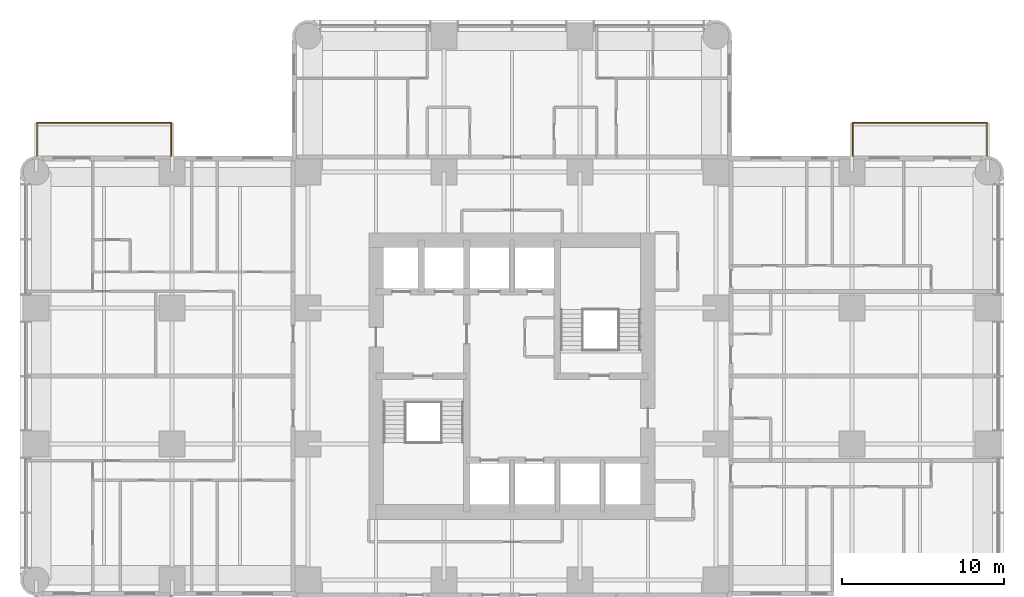
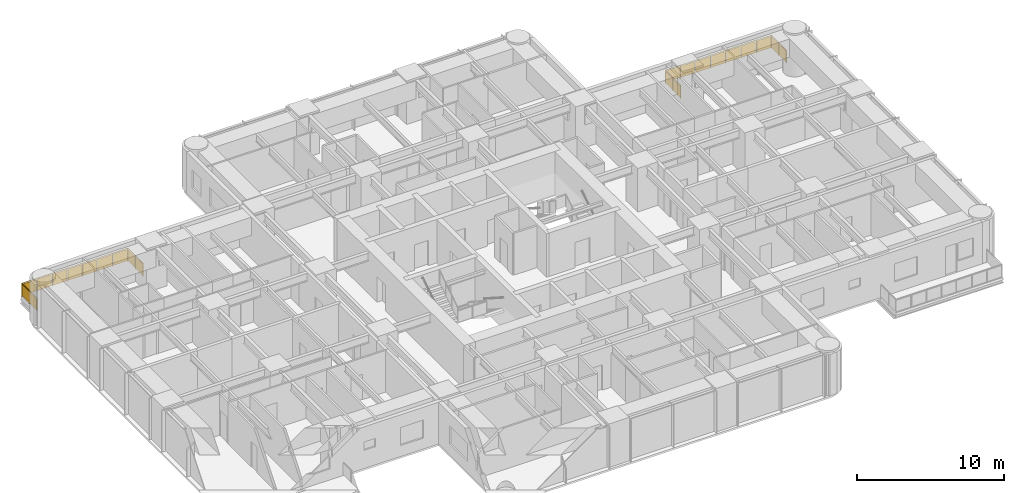
# One storey, part 14 of 14: 2 railings.
"""IFC4 building model written with IfcOpenShell, lengths in metres."""

from ifc_helpers import new_model, si_unit, direction, frame, origin, origin_2d, place, context, subcontext, project, spatial, polyline, circle, outline, extrude, material, constituent, constituent_set, type_object, element, save


model = new_model("IFC4")

# Units and contexts
model_context = context("Model", 3, precision=1e-05, world=origin(), true_north=direction((0.0, 1.0)))
body_context = subcontext(model_context, "Body", "Model", "MODEL_VIEW")
ifc_project = project(units=[si_unit("LENGTHUNIT", "METRE"), si_unit("AREAUNIT", "SQUARE_METRE"), si_unit("VOLUMEUNIT", "CUBIC_METRE"), si_unit("PLANEANGLEUNIT", "RADIAN"), si_unit("MASSUNIT", "GRAM", prefix="KILO")], contexts=[model_context])

# Site, building, storey
site_placement = place(None, origin())
site = spatial("IfcSite", under=ifc_project, at=site_placement, CompositionType="ELEMENT")
building_placement = place(site_placement, origin())
building = spatial("IfcBuilding", under=site, at=building_placement, Name="Torre Alcanfor", CompositionType="ELEMENT")
storey_placement = place(building_placement, frame((0.0, 0.0, 162.89990234375)))
storey = spatial("IfcBuildingStorey", under=building, at=storey_placement, Name="L42", CompositionType="ELEMENT", Elevation=162.89990234375)

# Railings
ifc_material_1 = material(Name="Laminated safety glass", Category="glass")
ifc_constituent_1 = constituent(ifc_material_1, Name="Infill")
ifc_material_2 = material(Name="Stainless steel ASTM A554 Grade MT 316L tube", Category="steel")
ifc_constituent_2 = constituent(ifc_material_2, Name="Posts and rail")
ifc_constituent_set = constituent_set(constituents=[ifc_constituent_1, ifc_constituent_2], Name="Balcony guard glass 1100")
railing_type = type_object("IfcRailingType", Name="Balcony guard glass 1100", PredefinedType="BALUSTRADE", material=ifc_constituent_set)
railing_1_placement = place(storey_placement, frame((50.449951171875, 43.0, 0.0)))
element("IfcRailing", 1, at=railing_1_placement, inside=storey, type_object=railing_type, Name="Balcony guard L42-E1", PredefinedType="BALUSTRADE", context=body_context, shape_type="SweptSolid", body=[
    extrude(circle(Radius=0.02392578125, at=origin_2d()), frame((0.0, 0.0, 1.076171875), z_axis=(0.0, 1.0, 0.0), x_axis=(-1.0, 0.0, 0.0)), (0.0, 0.0, 1.0), 2.050048828125),
    extrude(circle(Radius=0.02392578125, at=origin_2d()), frame((0.0, 2.050048828125, 1.076171875), z_axis=(1.0, 0.0, 0.0), x_axis=(0.0, 1.0, 0.0)), (0.0, 0.0, 1.0), 8.300048828125),
    extrude(circle(Radius=0.02392578125, at=origin_2d()), frame((8.300048828125, 2.050048828125, 1.076171875), z_axis=(0.0, -1.0, 0.0), x_axis=(1.0, 0.0, 0.0)), (0.0, 0.0, 1.0), 2.050048828125),
    extrude(circle(Radius=0.02099609375, at=origin_2d()), origin(), (0.0, 0.0, 1.0), 1.052001953125),
    extrude(circle(Radius=0.02099609375, at=origin_2d()), frame((0.0, 1.02490234375, 0.0)), (0.0, 0.0, 1.0), 1.052001953125),
    extrude(circle(Radius=0.02099609375, at=origin_2d()), frame((0.0, 2.050048828125, 0.0)), (0.0, 0.0, 1.0), 1.052001953125),
    extrude(circle(Radius=0.02099609375, at=origin_2d()), frame((1.185791015625, 2.050048828125, 0.0)), (0.0, 0.0, 1.0), 1.052001953125),
    extrude(circle(Radius=0.02099609375, at=origin_2d()), frame((2.371337890625, 2.050048828125, 0.0)), (0.0, 0.0, 1.0), 1.052001953125),
    extrude(circle(Radius=0.02099609375, at=origin_2d()), frame((3.55712890625, 2.050048828125, 0.0)), (0.0, 0.0, 1.0), 1.052001953125),
    extrude(circle(Radius=0.02099609375, at=origin_2d()), frame((4.742919921875, 2.050048828125, 0.0)), (0.0, 0.0, 1.0), 1.052001953125),
    extrude(circle(Radius=0.02099609375, at=origin_2d()), frame((5.9287109375, 2.050048828125, 0.0)), (0.0, 0.0, 1.0), 1.052001953125),
    extrude(circle(Radius=0.02099609375, at=origin_2d()), frame((7.1142578125, 2.050048828125, 0.0)), (0.0, 0.0, 1.0), 1.052001953125),
    extrude(circle(Radius=0.02099609375, at=origin_2d()), frame((8.300048828125, 2.050048828125, 0.0)), (0.0, 0.0, 1.0), 1.052001953125),
    extrude(circle(Radius=0.02099609375, at=origin_2d()), frame((8.300048828125, 1.02490234375, 0.0)), (0.0, 0.0, 1.0), 1.052001953125),
    extrude(circle(Radius=0.02099609375, at=origin_2d()), frame((8.300048828125, 0.0, 0.0)), (0.0, 0.0, 1.0), 1.052001953125),
    extrude(outline(polyline([(0.041015625, 0.050048828125), (0.984130859375, 0.050048828125), (0.984130859375, 1.001953125), (0.041015625, 1.001953125), (0.041015625, 0.050048828125)])), frame((-0.005859375, 0.0, 0.0), z_axis=(1.0, 0.0, 0.0), x_axis=(0.0, 1.0, 0.0)), (0.0, 0.0, 1.0), 0.011962890625),
    extrude(outline(polyline([(1.06591796875, 0.050048828125), (2.009033203125, 0.050048828125), (2.009033203125, 1.001953125), (1.06591796875, 1.001953125), (1.06591796875, 0.050048828125)])), frame((-0.005859375, 0.0, 0.0), z_axis=(1.0, 0.0, 0.0), x_axis=(0.0, 1.0, 0.0)), (0.0, 0.0, 1.0), 0.011962890625),
    extrude(outline(polyline([(0.041015625, 0.050048828125), (1.144775390625, 0.050048828125), (1.144775390625, 1.001953125), (0.041015625, 1.001953125), (0.041015625, 0.050048828125)])), frame((0.0, 2.05615234375, 0.0), z_axis=(0.0, -1.0, 0.0), x_axis=(1.0, 0.0, 0.0)), (0.0, 0.0, 1.0), 0.011962890625),
    extrude(outline(polyline([(1.226806640625, 0.050048828125), (2.330322265625, 0.050048828125), (2.330322265625, 1.001953125), (1.226806640625, 1.001953125), (1.226806640625, 0.050048828125)])), frame((0.0, 2.05615234375, 0.0), z_axis=(0.0, -1.0, 0.0), x_axis=(1.0, 0.0, 0.0)), (0.0, 0.0, 1.0), 0.011962890625),
    extrude(outline(polyline([(2.412353515625, 0.050048828125), (3.51611328125, 0.050048828125), (3.51611328125, 1.001953125), (2.412353515625, 1.001953125), (2.412353515625, 0.050048828125)])), frame((0.0, 2.05615234375, 0.0), z_axis=(0.0, -1.0, 0.0), x_axis=(1.0, 0.0, 0.0)), (0.0, 0.0, 1.0), 0.011962890625),
    extrude(outline(polyline([(3.59814453125, 0.050048828125), (4.701904296875, 0.050048828125), (4.701904296875, 1.001953125), (3.59814453125, 1.001953125), (3.59814453125, 0.050048828125)])), frame((0.0, 2.05615234375, 0.0), z_axis=(0.0, -1.0, 0.0), x_axis=(1.0, 0.0, 0.0)), (0.0, 0.0, 1.0), 0.011962890625),
    extrude(outline(polyline([(4.783935546875, 0.050048828125), (5.8876953125, 0.050048828125), (5.8876953125, 1.001953125), (4.783935546875, 1.001953125), (4.783935546875, 0.050048828125)])), frame((0.0, 2.05615234375, 0.0), z_axis=(0.0, -1.0, 0.0), x_axis=(1.0, 0.0, 0.0)), (0.0, 0.0, 1.0), 0.011962890625),
    extrude(outline(polyline([(5.9697265625, 0.050048828125), (7.0732421875, 0.050048828125), (7.0732421875, 1.001953125), (5.9697265625, 1.001953125), (5.9697265625, 0.050048828125)])), frame((0.0, 2.05615234375, 0.0), z_axis=(0.0, -1.0, 0.0), x_axis=(1.0, 0.0, 0.0)), (0.0, 0.0, 1.0), 0.011962890625),
    extrude(outline(polyline([(7.1552734375, 0.050048828125), (8.259033203125, 0.050048828125), (8.259033203125, 1.001953125), (7.1552734375, 1.001953125), (7.1552734375, 0.050048828125)])), frame((0.0, 2.05615234375, 0.0), z_axis=(0.0, -1.0, 0.0), x_axis=(1.0, 0.0, 0.0)), (0.0, 0.0, 1.0), 0.011962890625),
    extrude(outline(polyline([(0.041015625, 0.050048828125), (0.984130859375, 0.050048828125), (0.984130859375, 1.001953125), (0.041015625, 1.001953125), (0.041015625, 0.050048828125)])), frame((8.30615234375, 2.050048828125, 0.0), z_axis=(-1.0, 0.0, 0.0), x_axis=(0.0, -1.0, 0.0)), (0.0, 0.0, 1.0), 0.011962890625),
    extrude(outline(polyline([(1.06591796875, 0.050048828125), (2.009033203125, 0.050048828125), (2.009033203125, 1.001953125), (1.06591796875, 1.001953125), (1.06591796875, 0.050048828125)])), frame((8.30615234375, 2.050048828125, 0.0), z_axis=(-1.0, 0.0, 0.0), x_axis=(0.0, -1.0, 0.0)), (0.0, 0.0, 1.0), 0.011962890625),
])
railing_2_placement = place(storey_placement, frame((8.35009765625, 43.0, 0.0)))
element("IfcRailing", 2, at=railing_2_placement, inside=storey, type_object=railing_type, Name="Balcony guard L42-W2", PredefinedType="BALUSTRADE", context=body_context, shape_type="SweptSolid", body=[
    extrude(circle(Radius=0.02392578125, at=origin_2d()), frame((0.0, 0.0, 1.076171875), z_axis=(0.0, 1.0, 0.0), x_axis=(-1.0, 0.0, 0.0)), (0.0, 0.0, 1.0), 2.050048828125),
    extrude(circle(Radius=0.02392578125, at=origin_2d()), frame((0.0, 2.050048828125, 1.076171875), z_axis=(-1.0, 0.0, 0.0), x_axis=(0.0, -1.0, 0.0)), (0.0, 0.0, 1.0), 8.300048828125),
    extrude(circle(Radius=0.02392578125, at=origin_2d()), frame((-8.300048828125, 2.050048828125, 1.076171875), z_axis=(0.0, -1.0, 0.0), x_axis=(1.0, 0.0, 0.0)), (0.0, 0.0, 1.0), 2.050048828125),
    extrude(circle(Radius=0.02099609375, at=origin_2d()), origin(), (0.0, 0.0, 1.0), 1.052001953125),
    extrude(circle(Radius=0.02099609375, at=origin_2d()), frame((0.0, 1.02490234375, 0.0)), (0.0, 0.0, 1.0), 1.052001953125),
    extrude(circle(Radius=0.02099609375, at=origin_2d()), frame((0.0, 2.050048828125, 0.0)), (0.0, 0.0, 1.0), 1.052001953125),
    extrude(circle(Radius=0.02099609375, at=origin_2d()), frame((-1.185791015625, 2.050048828125, 0.0)), (0.0, 0.0, 1.0), 1.052001953125),
    extrude(circle(Radius=0.02099609375, at=origin_2d()), frame((-2.371337890625, 2.050048828125, 0.0)), (0.0, 0.0, 1.0), 1.052001953125),
    extrude(circle(Radius=0.02099609375, at=origin_2d()), frame((-3.55712890625, 2.050048828125, 0.0)), (0.0, 0.0, 1.0), 1.052001953125),
    extrude(circle(Radius=0.02099609375, at=origin_2d()), frame((-4.742919921875, 2.050048828125, 0.0)), (0.0, 0.0, 1.0), 1.052001953125),
    extrude(circle(Radius=0.02099609375, at=origin_2d()), frame((-5.9287109375, 2.050048828125, 0.0)), (0.0, 0.0, 1.0), 1.052001953125),
    extrude(circle(Radius=0.02099609375, at=origin_2d()), frame((-7.1142578125, 2.050048828125, 0.0)), (0.0, 0.0, 1.0), 1.052001953125),
    extrude(circle(Radius=0.02099609375, at=origin_2d()), frame((-8.300048828125, 2.050048828125, 0.0)), (0.0, 0.0, 1.0), 1.052001953125),
    extrude(circle(Radius=0.02099609375, at=origin_2d()), frame((-8.300048828125, 1.02490234375, 0.0)), (0.0, 0.0, 1.0), 1.052001953125),
    extrude(circle(Radius=0.02099609375, at=origin_2d()), frame((-8.300048828125, 0.0, 0.0)), (0.0, 0.0, 1.0), 1.052001953125),
    extrude(outline(polyline([(0.041015625, 0.050048828125), (0.984130859375, 0.050048828125), (0.984130859375, 1.001953125), (0.041015625, 1.001953125), (0.041015625, 0.050048828125)])), frame((-0.005859375, 0.0, 0.0), z_axis=(1.0, 0.0, 0.0), x_axis=(0.0, 1.0, 0.0)), (0.0, 0.0, 1.0), 0.011962890625),
    extrude(outline(polyline([(1.06591796875, 0.050048828125), (2.009033203125, 0.050048828125), (2.009033203125, 1.001953125), (1.06591796875, 1.001953125), (1.06591796875, 0.050048828125)])), frame((-0.005859375, 0.0, 0.0), z_axis=(1.0, 0.0, 0.0), x_axis=(0.0, 1.0, 0.0)), (0.0, 0.0, 1.0), 0.011962890625),
    extrude(outline(polyline([(0.041015625, 0.050048828125), (1.144775390625, 0.050048828125), (1.144775390625, 1.001953125), (0.041015625, 1.001953125), (0.041015625, 0.050048828125)])), frame((0.0, 2.0439453125, 0.0), z_axis=(0.0, 1.0, 0.0), x_axis=(-1.0, 0.0, 0.0)), (0.0, 0.0, 1.0), 0.011962890625),
    extrude(outline(polyline([(1.226806640625, 0.050048828125), (2.330322265625, 0.050048828125), (2.330322265625, 1.001953125), (1.226806640625, 1.001953125), (1.226806640625, 0.050048828125)])), frame((0.0, 2.0439453125, 0.0), z_axis=(0.0, 1.0, 0.0), x_axis=(-1.0, 0.0, 0.0)), (0.0, 0.0, 1.0), 0.011962890625),
    extrude(outline(polyline([(2.412353515625, 0.050048828125), (3.51611328125, 0.050048828125), (3.51611328125, 1.001953125), (2.412353515625, 1.001953125), (2.412353515625, 0.050048828125)])), frame((0.0, 2.0439453125, 0.0), z_axis=(0.0, 1.0, 0.0), x_axis=(-1.0, 0.0, 0.0)), (0.0, 0.0, 1.0), 0.011962890625),
    extrude(outline(polyline([(3.59814453125, 0.050048828125), (4.701904296875, 0.050048828125), (4.701904296875, 1.001953125), (3.59814453125, 1.001953125), (3.59814453125, 0.050048828125)])), frame((0.0, 2.0439453125, 0.0), z_axis=(0.0, 1.0, 0.0), x_axis=(-1.0, 0.0, 0.0)), (0.0, 0.0, 1.0), 0.011962890625),
    extrude(outline(polyline([(4.783935546875, 0.050048828125), (5.8876953125, 0.050048828125), (5.8876953125, 1.001953125), (4.783935546875, 1.001953125), (4.783935546875, 0.050048828125)])), frame((0.0, 2.0439453125, 0.0), z_axis=(0.0, 1.0, 0.0), x_axis=(-1.0, 0.0, 0.0)), (0.0, 0.0, 1.0), 0.011962890625),
    extrude(outline(polyline([(5.9697265625, 0.050048828125), (7.0732421875, 0.050048828125), (7.0732421875, 1.001953125), (5.9697265625, 1.001953125), (5.9697265625, 0.050048828125)])), frame((0.0, 2.0439453125, 0.0), z_axis=(0.0, 1.0, 0.0), x_axis=(-1.0, 0.0, 0.0)), (0.0, 0.0, 1.0), 0.011962890625),
    extrude(outline(polyline([(7.1552734375, 0.050048828125), (8.259033203125, 0.050048828125), (8.259033203125, 1.001953125), (7.1552734375, 1.001953125), (7.1552734375, 0.050048828125)])), frame((0.0, 2.0439453125, 0.0), z_axis=(0.0, 1.0, 0.0), x_axis=(-1.0, 0.0, 0.0)), (0.0, 0.0, 1.0), 0.011962890625),
    extrude(outline(polyline([(0.041015625, 0.050048828125), (0.984130859375, 0.050048828125), (0.984130859375, 1.001953125), (0.041015625, 1.001953125), (0.041015625, 0.050048828125)])), frame((-8.2939453125, 2.050048828125, 0.0), z_axis=(-1.0, 0.0, 0.0), x_axis=(0.0, -1.0, 0.0)), (0.0, 0.0, 1.0), 0.011962890625),
    extrude(outline(polyline([(1.06591796875, 0.050048828125), (2.009033203125, 0.050048828125), (2.009033203125, 1.001953125), (1.06591796875, 1.001953125), (1.06591796875, 0.050048828125)])), frame((-8.2939453125, 2.050048828125, 0.0), z_axis=(-1.0, 0.0, 0.0), x_axis=(0.0, -1.0, 0.0)), (0.0, 0.0, 1.0), 0.011962890625),
])

save(model, "model.ifc")
